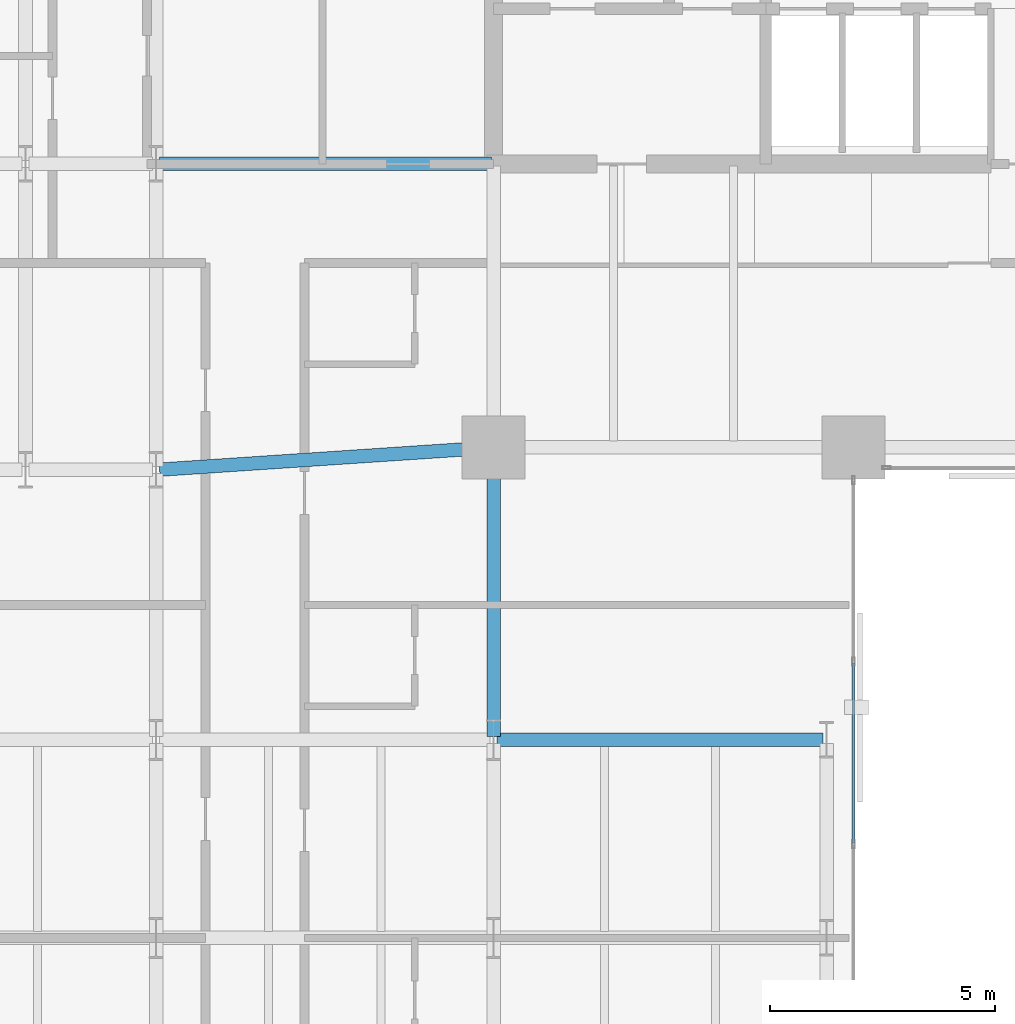
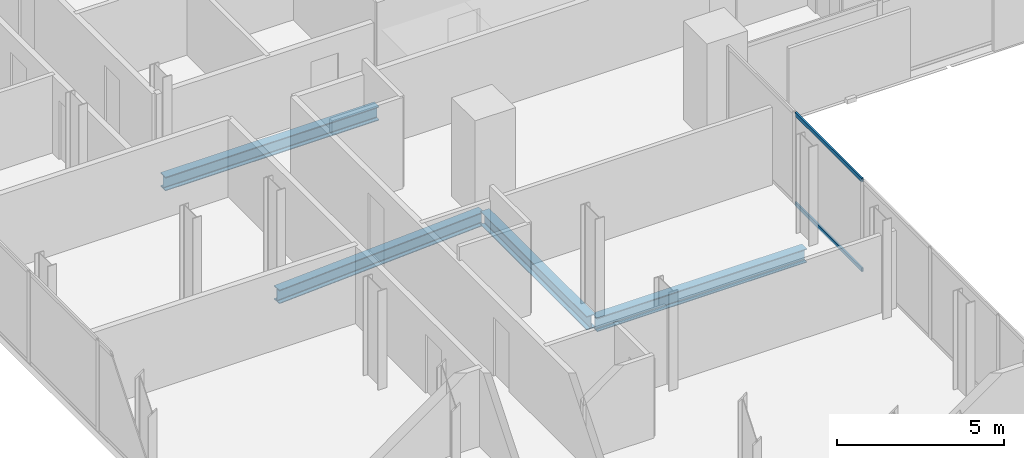
# One storey, part 12 of 32: 4 beams, 2 members, 1 element without a shape of its own.
"""IFC4 building model written with IfcOpenShell, lengths in metres."""

import ifcopenshell
import ifcopenshell.guid

model = None  # the IFC model being written
_history = None  # IfcOwnerHistory: only IFC2X3 demands one
_inside = {}  # id of a spatial element -> (the spatial element, [elements in it])
_under = {}  # id of a project, library or spatial element -> (it, [spatial elements below it])
_declared = {}  # id of a project -> (the project, [libraries it declares])
_typed = {}  # id of a type object -> (the type object, [elements of that type])
_made_of = {}  # id of a material, layer set ... -> (it, [elements and type objects made of it])


def new_model(schema):
    """Start an empty IFC model of exactly this schema.

    Asked for "IFC4X3", IfcOpenShell would pick the latest addendum, in which some entities
    have other attributes; the version numbers below select the first issue.
    IFC2X3 requires an IfcOwnerHistory on every rooted entity: one is made here for all.
    """
    global model, _history
    if schema == "IFC4X3":
        model = ifcopenshell.file(schema_version=(4, 3, 0, 0))
    else:
        model = ifcopenshell.file(schema=schema)
    _inside.clear()
    _under.clear()
    _declared.clear()
    _typed.clear()
    _made_of.clear()
    _history = None
    if model.schema == "IFC2X3":
        org = make("IfcOrganization", Name="unknown")
        user = make(
            "IfcPersonAndOrganization",
            ThePerson=make("IfcPerson", FamilyName="unknown"),
            TheOrganization=org,
        )
        app = make(
            "IfcApplication",
            ApplicationDeveloper=org,
            Version="unknown",
            ApplicationFullName="unknown",
            ApplicationIdentifier="unknown",
        )
        _history = make(
            "IfcOwnerHistory",
            OwningUser=user,
            OwningApplication=app,
            ChangeAction="ADDED",
            CreationDate=0,
        )
    return model


def make(cls, **values):
    """One entity of the class cls with the attributes given. An attribute that is None is left unset."""
    return model.create_entity(
        cls, **{name: value for name, value in values.items() if value is not None}
    )


def rooted(cls, **values):
    """An entity with a GlobalId (a new one), such as an element, a storey or a relation."""
    return make(cls, GlobalId=ifcopenshell.guid.new(), OwnerHistory=_history, **values)


def si_unit(unit_type, name, prefix=None):
    """IfcSIUnit, for example si_unit("LENGTHUNIT", "METRE", prefix="MILLI")."""
    return make("IfcSIUnit", UnitType=unit_type, Prefix=prefix, Name=name)


def assignment(units):
    """IfcUnitAssignment: the units of a project."""
    return None if units is None else make("IfcUnitAssignment", Units=units)


def point(xyz):
    """IfcCartesianPoint."""
    return None if xyz is None else make("IfcCartesianPoint", Coordinates=xyz)


def direction(xyz):
    """IfcDirection."""
    return None if xyz is None else make("IfcDirection", DirectionRatios=xyz)


def frame(location, z_axis=None, x_axis=None):
    """IfcAxis2Placement3D, a coordinate frame: its origin and axes. An axis left out is left unset."""
    return make(
        "IfcAxis2Placement3D",
        Location=point(location),
        Axis=direction(z_axis),
        RefDirection=direction(x_axis),
    )


def frame_2d(location, x_axis=None):
    """IfcAxis2Placement2D, a coordinate frame in the plane: its origin and x axis."""
    return make(
        "IfcAxis2Placement2D", Location=point(location), RefDirection=direction(x_axis)
    )


def origin():
    """The frame at (0, 0, 0) with its axes left unset."""
    return frame((0.0, 0.0, 0.0))


def origin_2d():
    """The frame at (0, 0) in the plane with its x axis left unset."""
    return frame_2d((0.0, 0.0))


def place(relative_to, where):
    """IfcLocalPlacement: puts the frame where relative to a parent placement (None: the world)."""
    return make(
        "IfcLocalPlacement", PlacementRelTo=relative_to, RelativePlacement=where
    )


def context(
    kind, dimensions, precision=None, world=None, true_north=None, identifier=None
):
    """IfcGeometricRepresentationContext, for example the 3D "Model" context."""
    return make(
        "IfcGeometricRepresentationContext",
        ContextIdentifier=identifier,
        ContextType=kind,
        CoordinateSpaceDimension=dimensions,
        Precision=precision,
        WorldCoordinateSystem=world,
        TrueNorth=true_north,
    )


def subcontext(parent, identifier, kind, view, scale=None):
    """IfcGeometricRepresentationSubContext, for example "Body" below "Model"."""
    return make(
        "IfcGeometricRepresentationSubContext",
        ContextIdentifier=identifier,
        ContextType=kind,
        ParentContext=parent,
        TargetScale=scale,
        TargetView=view,
    )


def project(units=None, contexts=None):
    """IfcProject with its units and contexts."""
    return rooted(
        "IfcProject",
        Name="project",
        RepresentationContexts=contexts,
        UnitsInContext=assignment(units),
    )


def spatial(cls, under=None, at=None, **own):
    """A site, building, storey or space (cls), placed at a placement, below another one or the project."""
    s = rooted(cls, ObjectPlacement=at, **own)
    if under is not None:
        _under.setdefault(under.id(), (under, []))[1].append(s)
    return s


def profile(cls, at=None, kind="AREA", **sizes):
    """A parametric profile (cls). Its sizes go by their IFC names, for example OverallWidth=200.0."""
    return make(cls, ProfileType=kind, Position=at, **sizes)


def hollow_rectangle(**sizes):
    """IfcRectangleHollowProfileDef."""
    return profile("IfcRectangleHollowProfileDef", **sizes)


def i_section(**sizes):
    """IfcIShapeProfileDef."""
    return profile("IfcIShapeProfileDef", **sizes)


def extrude(swept, where, along, depth):
    """IfcExtrudedAreaSolid: the profile swept, set in the frame where, extruded along a direction by depth."""
    return make(
        "IfcExtrudedAreaSolid",
        SweptArea=swept,
        Position=where,
        ExtrudedDirection=direction(along),
        Depth=depth,
    )


def shape(context_of_items, identifier, shape_type, items):
    """IfcShapeRepresentation: the items that make up one representation, for example the "Body"."""
    return make(
        "IfcShapeRepresentation",
        ContextOfItems=context_of_items,
        RepresentationIdentifier=identifier,
        RepresentationType=shape_type,
        Items=items,
    )


def material(Name=None, Category=None):
    """IfcMaterial."""
    return make("IfcMaterial", Name=Name, Category=Category)


def layer(
    of_material, thickness, ventilated=None, Name=None, Category=None, Priority=None
):
    """IfcMaterialLayer: one layer of a wall or slab, of a material (None: an air gap)."""
    return make(
        "IfcMaterialLayer",
        Material=of_material,
        LayerThickness=thickness,
        IsVentilated=ventilated,
        Name=Name,
        Category=Category,
        Priority=Priority,
    )


def layer_set(layers, Name=None):
    """IfcMaterialLayerSet."""
    return make("IfcMaterialLayerSet", MaterialLayers=layers, LayerSetName=Name)


def material_profile(
    of_material, cross_section, Name=None, Category=None, Priority=None
):
    """IfcMaterialProfile: a cross section and its material."""
    return make(
        "IfcMaterialProfile",
        Name=Name,
        Material=of_material,
        Profile=cross_section,
        Priority=Priority,
        Category=Category,
    )


def profile_set(profiles, Name=None, composite=None):
    """IfcMaterialProfileSet."""
    return make(
        "IfcMaterialProfileSet",
        Name=Name,
        MaterialProfiles=profiles,
        CompositeProfile=composite,
    )


def made_of(thing, what):
    """Note that an element or type object is made of a material, layer set ...; save() writes the relation."""
    if what is not None:
        _made_of.setdefault(what.id(), (what, []))[1].append(thing)
    return thing


def type_object(cls, material=None, **own):
    """A type object (cls), such as IfcWallType, which elements share."""
    return made_of(rooted(cls, **own), material)


def element(
    cls,
    number,
    at=None,
    inside=None,
    cuts=None,
    type_object=None,
    material=None,
    context=None,
    identifier="Body",
    shape_type=None,
    held_by="IfcProductDefinitionShape",
    body=None,
    shapes=None,
    **own,
):
    """One element of the class cls, such as IfcWall. Its Tag is "e" and its number.

    at: its placement. inside: the storey or other place that contains it. cuts: it is an
    opening in that element (IfcRelVoidsElement). A single representation is given by context,
    identifier, shape_type and body (its items); several are given by shapes. held_by: the class
    of the entity that holds the representations. save() writes the other relations.
    """
    e = rooted(cls, Tag="e%d" % number, ObjectPlacement=at, **own)
    if body is not None:
        shapes = [shape(context, identifier, shape_type, body)]
    if shapes is not None:
        e.Representation = make(held_by, Representations=shapes)
    if inside is not None:
        _inside.setdefault(inside.id(), (inside, []))[1].append(e)
    if cuts is not None:
        rooted(
            "IfcRelVoidsElement", RelatingBuildingElement=cuts, RelatedOpeningElement=e
        )
    if type_object is not None:
        _typed.setdefault(type_object.id(), (type_object, []))[1].append(e)
    return made_of(e, material)


def aggregate(whole, parts):
    """IfcRelAggregates: a whole, such as a stair, and the parts it consists of."""
    return rooted("IfcRelAggregates", RelatingObject=whole, RelatedObjects=parts)


def save(model, path):
    """Write the relations noted so far, then the file.

    IfcRelAggregates (storeys below a building ...), IfcRelContainedInSpatialStructure (elements
    in a storey), IfcRelDefinesByType, IfcRelAssociatesMaterial and IfcRelDeclares: one each for
    every whole, place, type object, material and project.
    """
    for whole, parts in _under.values():
        aggregate(whole, parts)
    for where, things in _inside.values():
        rooted(
            "IfcRelContainedInSpatialStructure",
            RelatedElements=things,
            RelatingStructure=where,
        )
    for kind, things in _typed.values():
        rooted("IfcRelDefinesByType", RelatedObjects=things, RelatingType=kind)
    for what, things in _made_of.values():
        rooted("IfcRelAssociatesMaterial", RelatedObjects=things, RelatingMaterial=what)
    for by, libraries in _declared.values():
        rooted("IfcRelDeclares", RelatingContext=by, RelatedDefinitions=libraries)
    model.write(path)


model = new_model("IFC4")

# Units and contexts
model_context = context("Model", 3, precision=1e-05, world=origin(), true_north=direction((0.0, 1.0)))
body_context = subcontext(model_context, "Body", "Model", "MODEL_VIEW")
ifc_project = project(units=[si_unit("LENGTHUNIT", "METRE"), si_unit("AREAUNIT", "SQUARE_METRE"), si_unit("VOLUMEUNIT", "CUBIC_METRE"), si_unit("PLANEANGLEUNIT", "RADIAN"), si_unit("MASSUNIT", "GRAM", prefix="KILO")], contexts=[model_context])

# Site, building, storey
site_placement = place(None, origin())
site = spatial("IfcSite", under=ifc_project, at=site_placement, CompositionType="ELEMENT")
building_placement = place(site_placement, origin())
building = spatial("IfcBuilding", under=site, at=building_placement, Name="Catumbela Crestline Tower", CompositionType="ELEMENT")
storey_placement = place(building_placement, frame((0.0, 0.0, 65.4)))
storey = spatial("IfcBuildingStorey", under=building, at=storey_placement, Name="L16", CompositionType="ELEMENT", Elevation=65.4)

# Beams
ifc_material_1 = material(Name="Structural steel S355J2", Category="steel")
ifc_material_profile_1 = material_profile(ifc_material_1, i_section(OverallWidth=0.3, OverallDepth=0.5, WebThickness=0.0145, FlangeThickness=0.028, FilletRadius=0.027, at=origin_2d()), Name="HEB 500")
ifc_profile_set_1 = profile_set([ifc_material_profile_1], Name="Structural steel S355J2")
beam_type = type_object("IfcBeamType", Name="BG-HEB500", PredefinedType="BEAM", material=ifc_profile_set_1)
beam_1_placement = place(storey_placement, frame((8.5798, 24.0053, -0.51), z_axis=(0.997784796964, 0.066524423687, 0.0), x_axis=(-0.066524423687, 0.997784796964, 0.0)))
element("IfcBeam", 1, at=beam_1_placement, inside=storey, type_object=beam_type, Name="L16 Beam BM-L16-S03", PredefinedType="BEAM", context=body_context, shape_type="SweptSolid", body=[
    extrude(i_section(OverallWidth=0.3, OverallDepth=0.5, WebThickness=0.0145, FlangeThickness=0.028, FilletRadius=0.027, at=origin_2d()), origin(), (0.0, 0.0, 1.0), 7.3567),
])
beam_2_placement = place(storey_placement, frame((8.58, 30.8, -0.51), z_axis=(1.0, 0.0, 0.0), x_axis=(0.0, 1.0, 0.0)))
element("IfcBeam", 2, at=beam_2_placement, inside=storey, type_object=beam_type, Name="L16 Beam BM-L16-M09", PredefinedType="BEAM", context=body_context, shape_type="SweptSolid", body=[
    extrude(i_section(OverallWidth=0.3, OverallDepth=0.5, WebThickness=0.0145, FlangeThickness=0.028, FilletRadius=0.027, at=origin_2d()), origin(), (0.0, 0.0, 1.0), 7.37),
])
beam_3_placement = place(storey_placement, frame((16.08, 18.0, -0.51), z_axis=(1.0, 0.0, 0.0), x_axis=(0.0, 1.0, 0.0)))
element("IfcBeam", 3, at=beam_3_placement, inside=storey, type_object=beam_type, Name="L16 Beam BM-L16-WEW56", PredefinedType="BEAM", context=body_context, shape_type="SweptSolid", body=[
    extrude(i_section(OverallWidth=0.3, OverallDepth=0.5, WebThickness=0.0145, FlangeThickness=0.028, FilletRadius=0.027, at=origin_2d()), origin(), (0.0, 0.0, 1.0), 7.24),
])
beam_4_placement = place(storey_placement, frame((16.0, 18.08, -0.51), z_axis=(0.0, 1.0, 0.0), x_axis=(-1.0, 0.0, 0.0)))
element("IfcBeam", 4, at=beam_4_placement, inside=storey, type_object=beam_type, Name="L16 Beam BM-L16-WNS67", PredefinedType="BEAM", context=body_context, shape_type="SweptSolid", body=[
    extrude(i_section(OverallWidth=0.3, OverallDepth=0.5, WebThickness=0.0145, FlangeThickness=0.028, FilletRadius=0.027, at=origin_2d()), origin(), (0.0, 0.0, 1.0), 6.34),
])

# Curtain wall, members
ifc_material_2 = material(Name="Aluminium alloy AW-6060-T66", Category="aluminium")
ifc_layer = layer(ifc_material_2, 0.18, Name="Aluminium alloy AW-6060-T66")
ifc_layer_set = layer_set([ifc_layer], Name="Aluminium alloy AW-6060-T66")
curtain_wall_type = type_object("IfcCurtainWallType", Name="CWU-Z1", PredefinedType="USERDEFINED", material=ifc_layer_set)
curtain_wall_placement = place(storey_placement, origin())
curtain_wall = element("IfcCurtainWall", 5, at=curtain_wall_placement, inside=storey, type_object=curtain_wall_type, Name="L16 Unitised Curtain Wall CW-L16-E2S1", ObjectType="UNITISED", PredefinedType="USERDEFINED")
ifc_material_profile_2 = material_profile(ifc_material_2, hollow_rectangle(XDim=0.06, YDim=0.14, WallThickness=0.004, at=origin_2d()), Name="ALU 140x60x4")
ifc_profile_set_2 = profile_set([ifc_material_profile_2], Name="Aluminium alloy AW-6060-T66")
member_type = type_object("IfcMemberType", Name="TRN-140X60", PredefinedType="USERDEFINED", material=ifc_profile_set_2)
member_1_placement = place(storey_placement, frame((24.0, 15.7125, 0.03), z_axis=(0.0, 1.0, 0.0), x_axis=(-1.0, 0.0, 0.0)))
member_1 = element("IfcMember", 6, at=member_1_placement, type_object=member_type, Name="CWU-Z1 transom 4.1", ObjectType="TRANSOM", PredefinedType="USERDEFINED", context=body_context, shape_type="SweptSolid", body=[
    extrude(hollow_rectangle(XDim=0.06, YDim=0.14, WallThickness=0.004, at=origin_2d()), origin(), (0.0, 0.0, 1.0), 3.995),
])
member_2_placement = place(storey_placement, frame((24.0, 15.7125, 3.3), z_axis=(0.0, 1.0, 0.0), x_axis=(-1.0, 0.0, 0.0)))
member_2 = element("IfcMember", 7, at=member_2_placement, type_object=member_type, Name="CWU-Z1 transom 4.2", ObjectType="TRANSOM", PredefinedType="USERDEFINED", context=body_context, shape_type="SweptSolid", body=[
    extrude(hollow_rectangle(XDim=0.06, YDim=0.14, WallThickness=0.004, at=origin_2d()), origin(), (0.0, 0.0, 1.0), 3.995),
])
aggregate(curtain_wall, [member_1, member_2])

save(model, "model.ifc")
